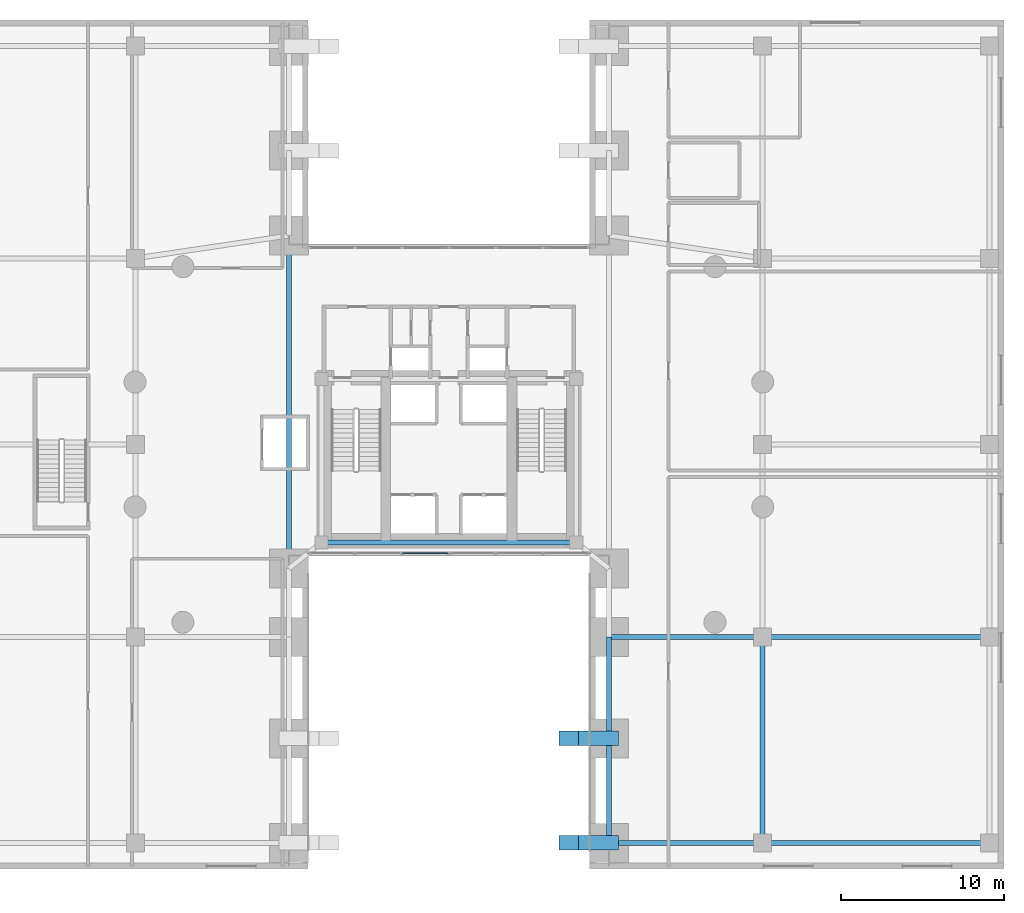
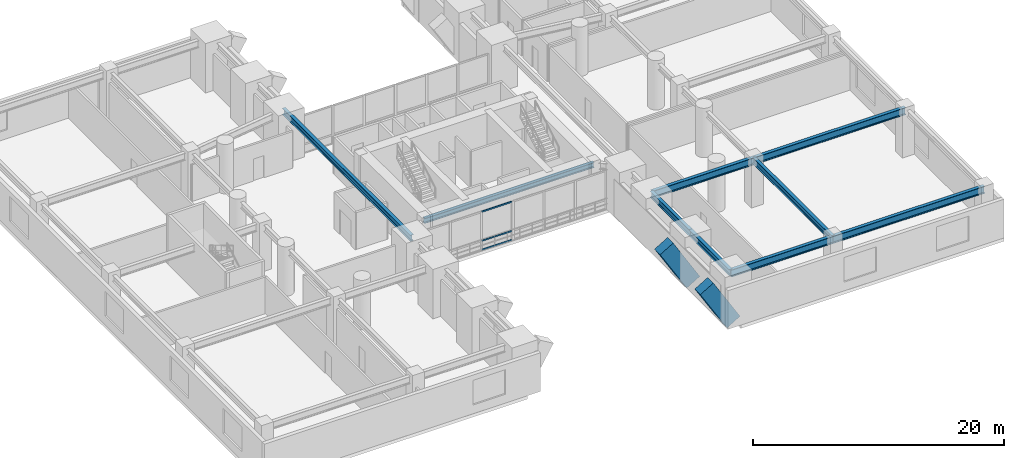
# One storey, part 3 of 14: 11 beams, 3 members, 1 element without a shape of its own.
"""IFC4 building model written with IfcOpenShell, lengths in metres."""

from ifc_helpers import new_model, si_unit, direction, frame, origin, origin_2d, place, context, subcontext, project, spatial, rectangle, hollow_rectangle, i_section, extrude, material, layer, layer_set, material_profile, profile_set, type_object, element, aggregate, save


model = new_model("IFC4")

# Units and contexts
model_context = context("Model", 3, precision=1e-05, world=origin(), true_north=direction((0.0, 1.0)))
body_context = subcontext(model_context, "Body", "Model", "MODEL_VIEW")
ifc_project = project(units=[si_unit("LENGTHUNIT", "METRE"), si_unit("AREAUNIT", "SQUARE_METRE"), si_unit("VOLUMEUNIT", "CUBIC_METRE"), si_unit("PLANEANGLEUNIT", "RADIAN"), si_unit("MASSUNIT", "GRAM", prefix="KILO"), si_unit("THERMODYNAMICTEMPERATUREUNIT", "KELVIN"), si_unit("POWERUNIT", "WATT")], contexts=[model_context])

# Site, building, storey
site_placement = place(None, origin())
site = spatial("IfcSite", under=ifc_project, at=site_placement, CompositionType="ELEMENT")
building_placement = place(site_placement, origin())
building = spatial("IfcBuilding", under=site, at=building_placement, Name="Ocrelia Relay Tower", CompositionType="ELEMENT")
storey_placement = place(building_placement, frame((0.0, 0.0, 5.39990234375)))
storey = spatial("IfcBuildingStorey", under=building, at=storey_placement, Name="L01", CompositionType="ELEMENT", Elevation=5.39990234375)

# Beams
ifc_material_1 = material(Name="Concrete C70/85", Category="concrete")
ifc_material_profile_1 = material_profile(ifc_material_1, rectangle(XDim=0.89990234375, YDim=1.39990234375, at=origin_2d()), Name="RC-BM-900x1400")
ifc_profile_set_1 = profile_set([ifc_material_profile_1], Name="Concrete C70/85")
beam_type_1 = type_object("IfcBeamType", Name="BM-ARCH-RIB", PredefinedType="USERDEFINED", material=ifc_profile_set_1)
for number, where, z_axis, x_axis, name in (
    (1, (41.35009765625, 1.60009765625, 3.69287109375), (0.513614846674, 0.0, -0.858020855968), (0.0, 1.0, 0.0), "Monumental Portal Arch Rib S1 Seg 8"),
    (2, (41.35009765625, 8.0, 3.69287109375), (0.513614846674, 0.0, -0.858020855968), (0.0, 1.0, 0.0), "Monumental Portal Arch Rib S2 Seg 8"),
):
    element("IfcBeam", number, at=place(storey_placement, frame(where, z_axis=z_axis, x_axis=x_axis)), inside=storey, type_object=beam_type_1, Name=name, ObjectType="PORTAL ARCH", PredefinedType="USERDEFINED", context=body_context, shape_type="SweptSolid", body=[
        extrude(rectangle(XDim=0.89990234375, YDim=1.39990234375, at=origin_2d()), origin(), (0.0, 0.0, 1.0), 4.77001953125),
    ])
ifc_material_2 = material(Name="Steel S355", Category="steel")
ifc_material_profile_2 = material_profile(ifc_material_2, i_section(OverallWidth=0.300048828125, OverallDepth=0.5, WebThickness=0.014404296875, FlangeThickness=0.028076171875, FilletRadius=0.027099609375, at=origin_2d()), Name="HEB 500")
ifc_profile_set_2 = profile_set([ifc_material_profile_2], Name="Steel S355")
beam_type_2 = type_object("IfcBeamType", Name="BM-HEB500", PredefinedType="BEAM", material=ifc_profile_set_2)
beam_1_placement = place(storey_placement, frame((26.199951171875, 20.0, 4.22998046875), z_axis=(1.0, 0.0, 0.0), x_axis=(0.0, 1.0, 0.0)))
element("IfcBeam", 3, at=beam_1_placement, inside=storey, type_object=beam_type_2, Name="L01 Core Pilaster Tie Beam S", PredefinedType="BEAM", context=body_context, shape_type="SweptSolid", body=[
    extrude(i_section(OverallWidth=0.300048828125, OverallDepth=0.5, WebThickness=0.014404296875, FlangeThickness=0.028076171875, FilletRadius=0.027099609375, at=origin_2d()), origin(), (0.0, 0.0, 1.0), 15.60009765625),
])
ifc_material_profile_3 = material_profile(ifc_material_2, i_section(OverallWidth=0.300048828125, OverallDepth=0.60009765625, WebThickness=0.015380859375, FlangeThickness=0.030029296875, FilletRadius=0.027099609375, at=origin_2d()), Name="HEB 600")
ifc_profile_set_3 = profile_set([ifc_material_profile_3], Name="Steel S355")
beam_type_3 = type_object("IfcBeamType", Name="BM-HEB600", PredefinedType="BEAM", material=ifc_profile_set_3)
beam_2_placement = place(storey_placement, frame((53.199951171875, 1.60009765625, 4.18017578125), z_axis=(0.0, 1.0, 0.0), x_axis=(-1.0, 0.0, 0.0)))
element("IfcBeam", 4, at=beam_2_placement, inside=storey, type_object=beam_type_3, Name="L01 Podium Span Girder IE-1", PredefinedType="BEAM", context=body_context, shape_type="SweptSolid", body=[
    extrude(i_section(OverallWidth=0.300048828125, OverallDepth=0.60009765625, WebThickness=0.015380859375, FlangeThickness=0.030029296875, FilletRadius=0.027099609375, at=origin_2d()), origin(), (0.0, 0.0, 1.0), 12.599853515625),
])
beam_3_placement = place(storey_placement, frame((24.199951171875, 18.39990234375, 4.18017578125), z_axis=(0.0, 1.0, 0.0), x_axis=(-1.0, 0.0, 0.0)))
element("IfcBeam", 5, at=beam_3_placement, inside=storey, type_object=beam_type_3, Name="L01 Pier Line Tie Girder AW-6", PredefinedType="BEAM", context=body_context, shape_type="SweptSolid", body=[
    extrude(i_section(OverallWidth=0.300048828125, OverallDepth=0.60009765625, WebThickness=0.015380859375, FlangeThickness=0.030029296875, FilletRadius=0.027099609375, at=origin_2d()), origin(), (0.0, 0.0, 1.0), 20.400146484375),
])
beam_4_placement = place(storey_placement, frame((43.800048828125, 1.60009765625, 4.18017578125), z_axis=(0.0, 1.0, 0.0), x_axis=(-1.0, 0.0, 0.0)))
element("IfcBeam", 6, at=beam_4_placement, inside=storey, type_object=beam_type_3, Name="L01 Pier Line Tie Girder AE-1", PredefinedType="BEAM", context=body_context, shape_type="SweptSolid", body=[
    extrude(i_section(OverallWidth=0.300048828125, OverallDepth=0.60009765625, WebThickness=0.015380859375, FlangeThickness=0.030029296875, FilletRadius=0.027099609375, at=origin_2d()), origin(), (0.0, 0.0, 1.0), 6.39990234375),
])
beam_5_placement = place(storey_placement, frame((43.800048828125, 8.0, 4.18017578125), z_axis=(0.0, 1.0, 0.0), x_axis=(-1.0, 0.0, 0.0)))
element("IfcBeam", 7, at=beam_5_placement, inside=storey, type_object=beam_type_3, Name="L01 Pier Line Tie Girder AE-2", PredefinedType="BEAM", context=body_context, shape_type="SweptSolid", body=[
    extrude(i_section(OverallWidth=0.300048828125, OverallDepth=0.60009765625, WebThickness=0.015380859375, FlangeThickness=0.030029296875, FilletRadius=0.027099609375, at=origin_2d()), origin(), (0.0, 0.0, 1.0), 6.199951171875),
])
ifc_material_profile_4 = material_profile(ifc_material_2, i_section(OverallWidth=0.300048828125, OverallDepth=0.699951171875, WebThickness=0.01708984375, FlangeThickness=0.031982421875, FilletRadius=0.027099609375, at=origin_2d()), Name="HEB 700")
ifc_profile_set_4 = profile_set([ifc_material_profile_4], Name="Steel S355")
beam_type_4 = type_object("IfcBeamType", Name="BM-HEB700", PredefinedType="BEAM", material=ifc_profile_set_4)
beam_6_placement = place(storey_placement, frame((43.800048828125, 1.60009765625, 4.130126953125), z_axis=(1.0, 0.0, 0.0), x_axis=(0.0, 1.0, 0.0)))
element("IfcBeam", 8, at=beam_6_placement, inside=storey, type_object=beam_type_4, Name="L01 East Inner Podium Girder S", PredefinedType="BEAM", context=body_context, shape_type="SweptSolid", body=[
    extrude(i_section(OverallWidth=0.300048828125, OverallDepth=0.699951171875, WebThickness=0.01708984375, FlangeThickness=0.031982421875, FilletRadius=0.027099609375, at=origin_2d()), origin(), (0.0, 0.0, 1.0), 9.39990234375),
])
beam_7_placement = place(storey_placement, frame((53.199951171875, 1.60009765625, 4.130126953125), z_axis=(1.0, 0.0, 0.0), x_axis=(0.0, 1.0, 0.0)))
element("IfcBeam", 9, at=beam_7_placement, inside=storey, type_object=beam_type_4, Name="L01 East Outer Podium Girder S", PredefinedType="BEAM", context=body_context, shape_type="SweptSolid", body=[
    extrude(i_section(OverallWidth=0.300048828125, OverallDepth=0.699951171875, WebThickness=0.01708984375, FlangeThickness=0.031982421875, FilletRadius=0.027099609375, at=origin_2d()), origin(), (0.0, 0.0, 1.0), 13.900146484375),
])
beam_8_placement = place(storey_placement, frame((43.800048828125, 14.199951171875, 4.130126953125), z_axis=(1.0, 0.0, 0.0), x_axis=(0.0, 1.0, 0.0)))
element("IfcBeam", 10, at=beam_8_placement, inside=storey, type_object=beam_type_4, Name="L01 East Inner Podium Girder M1", PredefinedType="BEAM", context=body_context, shape_type="SweptSolid", body=[
    extrude(i_section(OverallWidth=0.300048828125, OverallDepth=0.699951171875, WebThickness=0.01708984375, FlangeThickness=0.031982421875, FilletRadius=0.027099609375, at=origin_2d()), origin(), (0.0, 0.0, 1.0), 9.39990234375),
])
beam_9_placement = place(storey_placement, frame((53.199951171875, 14.199951171875, 4.130126953125), z_axis=(1.0, 0.0, 0.0), x_axis=(0.0, 1.0, 0.0)))
element("IfcBeam", 11, at=beam_9_placement, inside=storey, type_object=beam_type_4, Name="L01 East Outer Podium Girder M1", PredefinedType="BEAM", context=body_context, shape_type="SweptSolid", body=[
    extrude(i_section(OverallWidth=0.300048828125, OverallDepth=0.699951171875, WebThickness=0.01708984375, FlangeThickness=0.031982421875, FilletRadius=0.027099609375, at=origin_2d()), origin(), (0.0, 0.0, 1.0), 13.900146484375),
])

# Curtain wall, members
ifc_material_3 = material(Name="Aluminium and solar-control low-E glass", Category="aluminium")
ifc_layer = layer(ifc_material_3, 0.179931640625, Name="Aluminium and solar-control low-E glass")
ifc_layer_set = layer_set([ifc_layer], Name="Aluminium and solar-control low-E glass")
curtain_wall_type = type_object("IfcCurtainWallType", Name="CW-SYS-POD-ARCH", PredefinedType="NOTDEFINED", material=ifc_layer_set)
curtain_wall_placement = place(storey_placement, origin())
curtain_wall = element("IfcCurtainWall", 12, at=curtain_wall_placement, inside=storey, type_object=curtain_wall_type, Name="L01 South Portal Atrium Glazed Screen West", PredefinedType="NOTDEFINED")
ifc_material_4 = material(Name="Anodised bronze aluminium", Category="aluminium")
ifc_material_profile_5 = material_profile(ifc_material_4, hollow_rectangle(XDim=0.06494140625, YDim=0.139892578125, WallThickness=0.0048828125, at=origin_2d()), Name="CW-TRN-140x65")
ifc_profile_set_5 = profile_set([ifc_material_profile_5], Name="Anodised bronze aluminium")
member_type = type_object("IfcMemberType", Name="CW-SYS-POD-ARCH-TRN", PredefinedType="USERDEFINED", material=ifc_profile_set_5)
member_1_placement = place(storey_placement, frame((31.1640625, 19.35009765625, 0.03271484375), z_axis=(1.0, 0.0, 0.0), x_axis=(0.0, 1.0, 0.0)))
member_1 = element("IfcMember", 13, at=member_1_placement, type_object=member_type, Name="CW-PA transom 3.1", ObjectType="TRANSOM", PredefinedType="USERDEFINED", context=body_context, shape_type="SweptSolid", body=[
    extrude(hollow_rectangle(XDim=0.06494140625, YDim=0.139892578125, WallThickness=0.0048828125, at=origin_2d()), origin(), (0.0, 0.0, 1.0), 2.760986328125),
])
member_2_placement = place(storey_placement, frame((31.1640625, 19.35009765625, 0.900146484375), z_axis=(1.0, 0.0, 0.0), x_axis=(0.0, 1.0, 0.0)))
member_2 = element("IfcMember", 14, at=member_2_placement, type_object=member_type, Name="CW-PA transom 3.2", ObjectType="TRANSOM", PredefinedType="USERDEFINED", context=body_context, shape_type="SweptSolid", body=[
    extrude(hollow_rectangle(XDim=0.06494140625, YDim=0.139892578125, WallThickness=0.0048828125, at=origin_2d()), origin(), (0.0, 0.0, 1.0), 2.760986328125),
])
member_3_placement = place(storey_placement, frame((31.1640625, 19.35009765625, 3.7275390625), z_axis=(1.0, 0.0, 0.0), x_axis=(0.0, 1.0, 0.0)))
member_3 = element("IfcMember", 15, at=member_3_placement, type_object=member_type, Name="CW-PA transom 3.3", ObjectType="TRANSOM", PredefinedType="USERDEFINED", context=body_context, shape_type="SweptSolid", body=[
    extrude(hollow_rectangle(XDim=0.06494140625, YDim=0.139892578125, WallThickness=0.0048828125, at=origin_2d()), origin(), (0.0, 0.0, 1.0), 2.760986328125),
])
aggregate(curtain_wall, [member_1, member_2, member_3])

save(model, "model.ifc")
